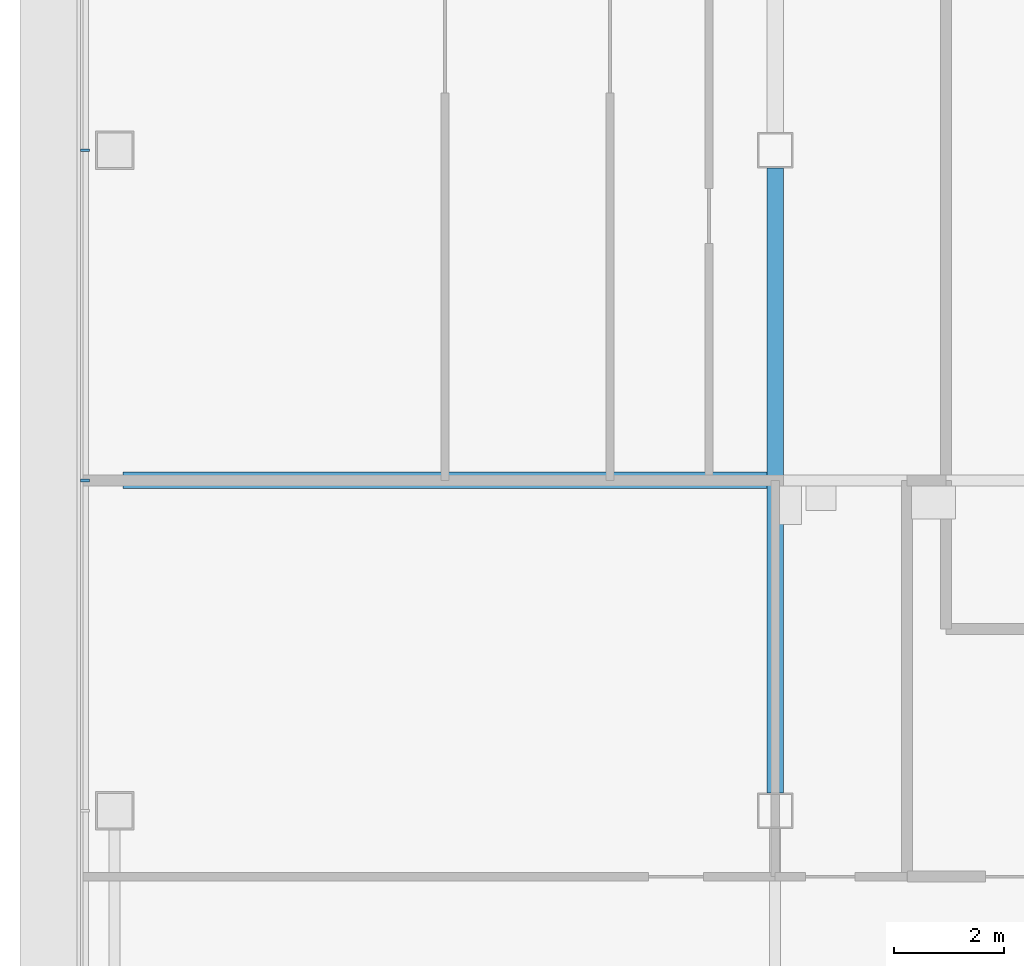
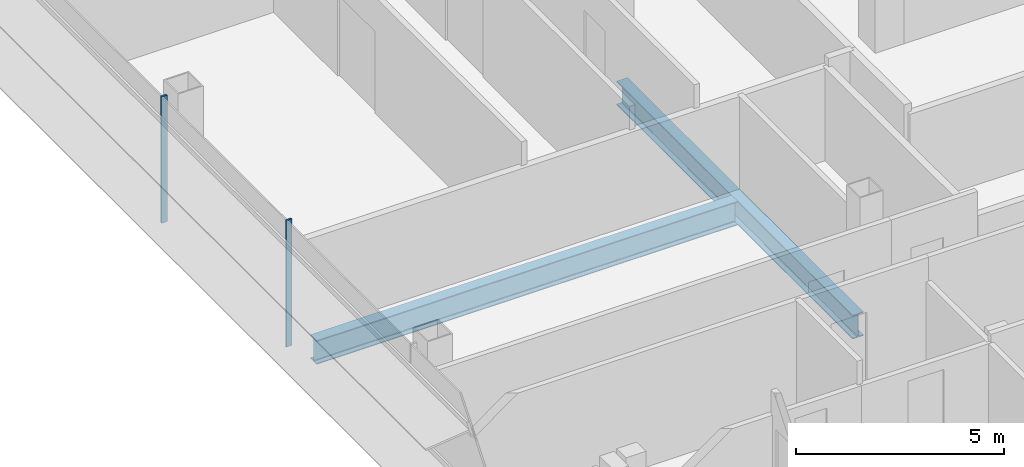
# One storey, part 4 of 27: 2 beams, 2 members, 1 element without a shape of its own.
"""IFC4 building model written with IfcOpenShell, lengths in metres."""

from ifc_helpers import new_model, si_unit, direction, frame, origin, origin_2d, place, context, subcontext, project, spatial, rectangle, i_section, extrude, material, material_profile, profile_set, type_object, element, aggregate, save


model = new_model("IFC4")

# Units and contexts
model_context = context("Model", 3, precision=1e-05, world=origin(), true_north=direction((0.0, 1.0)))
body_context = subcontext(model_context, "Body", "Model", "MODEL_VIEW")
ifc_project = project(units=[si_unit("LENGTHUNIT", "METRE"), si_unit("AREAUNIT", "SQUARE_METRE"), si_unit("VOLUMEUNIT", "CUBIC_METRE"), si_unit("PLANEANGLEUNIT", "RADIAN"), si_unit("MASSUNIT", "GRAM", prefix="KILO")], contexts=[model_context])

# Site, building, storey
site_placement = place(None, origin())
site = spatial("IfcSite", under=ifc_project, at=site_placement, CompositionType="ELEMENT")
building_placement = place(site_placement, origin())
building = spatial("IfcBuilding", under=site, at=building_placement, Name="Sorahane Residences", CompositionType="ELEMENT")
storey_placement = place(building_placement, frame((0.0, 0.0, 192.0)))
storey = spatial("IfcBuildingStorey", under=building, at=storey_placement, Name="L44", CompositionType="ELEMENT", Elevation=192.0)

# Curtain wall, members
ifc_material_1 = material(Name="Dark low-e glass and black anodised aluminium", Category="aluminium")
curtain_wall_type = type_object("IfcCurtainWallType", Name="Curtain wall CW-1 Typical unitised wall", PredefinedType="NOTDEFINED", material=ifc_material_1)
curtain_wall_placement = place(storey_placement, origin())
curtain_wall = element("IfcCurtainWall", 1, at=curtain_wall_placement, inside=storey, type_object=curtain_wall_type, Name="CW-1 curtain wall L44 W1", PredefinedType="NOTDEFINED")
ifc_material_2 = material(Name="Black anodised aluminium", Category="aluminium")
ifc_material_profile_1 = material_profile(ifc_material_2, rectangle(XDim=0.159912109375, YDim=0.050048828125, at=origin_2d()), Name="Curtain wall mullion CW-1 black anodised aluminium 50x160")
ifc_profile_set_1 = profile_set([ifc_material_profile_1], Name="Black anodised aluminium")
member_type = type_object("IfcMemberType", Name="Curtain wall mullion CW-1 black anodised aluminium 50x160", PredefinedType="MULLION", material=ifc_profile_set_1)
member_1_placement = place(storey_placement, frame((-12.5400390625, 24.0, -0.300048828125), z_axis=(0.0, 0.0, 1.0), x_axis=(-1.0, 0.0, 0.0)))
member_1 = element("IfcMember", 2, at=member_1_placement, type_object=member_type, Name="CW-1 mullion L44 W1.4", PredefinedType="MULLION", context=body_context, shape_type="SweptSolid", body=[
    extrude(rectangle(XDim=0.159912109375, YDim=0.050048828125, at=origin_2d()), origin(), (0.0, 0.0, 1.0), 3.719970703125),
])
member_2_placement = place(storey_placement, frame((-12.5400390625, 18.0, -0.300048828125), z_axis=(0.0, 0.0, 1.0), x_axis=(-1.0, 0.0, 0.0)))
member_2 = element("IfcMember", 3, at=member_2_placement, type_object=member_type, Name="CW-1 mullion L44 W1.5", PredefinedType="MULLION", context=body_context, shape_type="SweptSolid", body=[
    extrude(rectangle(XDim=0.159912109375, YDim=0.050048828125, at=origin_2d()), origin(), (0.0, 0.0, 1.0), 3.719970703125),
])
aggregate(curtain_wall, [member_1, member_2])

# Beams
ifc_material_3 = material(Name="Steel Q355B", Category="steel")
ifc_material_profile_2 = material_profile(ifc_material_3, i_section(OverallWidth=0.300048828125, OverallDepth=0.699951171875, WebThickness=0.012939453125, FlangeThickness=0.02392578125, FilletRadius=0.028076171875, at=origin_2d()), Name="HN 700x300x13x24")
ifc_profile_set_2 = profile_set([ifc_material_profile_2], Name="Steel Q355B")
beam_type = type_object("IfcBeamType", Name="Steel floor beam HN 700x300x13x24 Q355B", PredefinedType="BEAM", material=ifc_profile_set_2)
beam_1_placement = place(storey_placement, frame((0.0, 12.324951171875, -0.64990234375), z_axis=(0.0, 1.0, 0.0), x_axis=(-1.0, 0.0, 0.0)))
element("IfcBeam", 4, at=beam_1_placement, inside=storey, type_object=beam_type, Name="Beam L44 003", PredefinedType="BEAM", context=body_context, shape_type="SweptSolid", body=[
    extrude(i_section(OverallWidth=0.300048828125, OverallDepth=0.699951171875, WebThickness=0.012939453125, FlangeThickness=0.02392578125, FilletRadius=0.028076171875, at=origin_2d()), origin(), (0.0, 0.0, 1.0), 11.35009765625),
])
beam_2_placement = place(storey_placement, frame((-11.85009765625, 18.0, -0.64990234375), z_axis=(1.0, 0.0, 0.0), x_axis=(0.0, 1.0, 0.0)))
element("IfcBeam", 5, at=beam_2_placement, inside=storey, type_object=beam_type, Name="Beam L44 056", PredefinedType="BEAM", context=body_context, shape_type="SweptSolid", body=[
    extrude(i_section(OverallWidth=0.300048828125, OverallDepth=0.699951171875, WebThickness=0.012939453125, FlangeThickness=0.02392578125, FilletRadius=0.028076171875, at=origin_2d()), origin(), (0.0, 0.0, 1.0), 11.7001953125),
])

save(model, "model.ifc")
